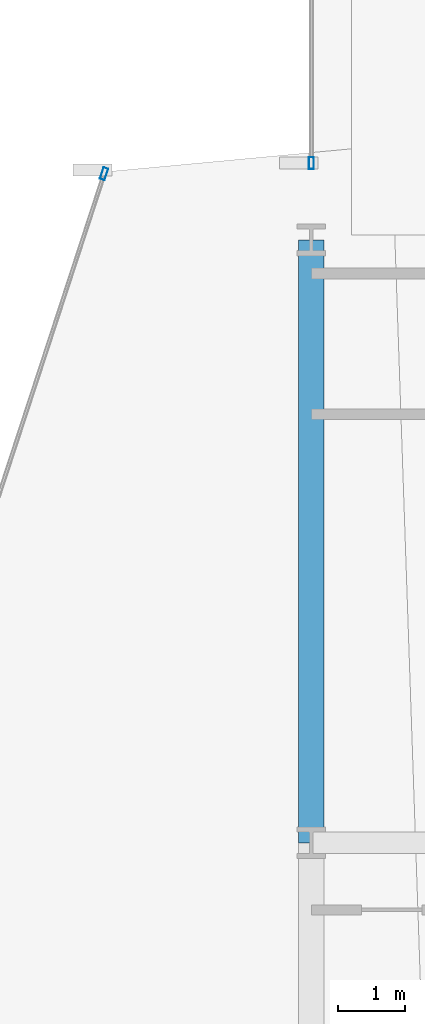
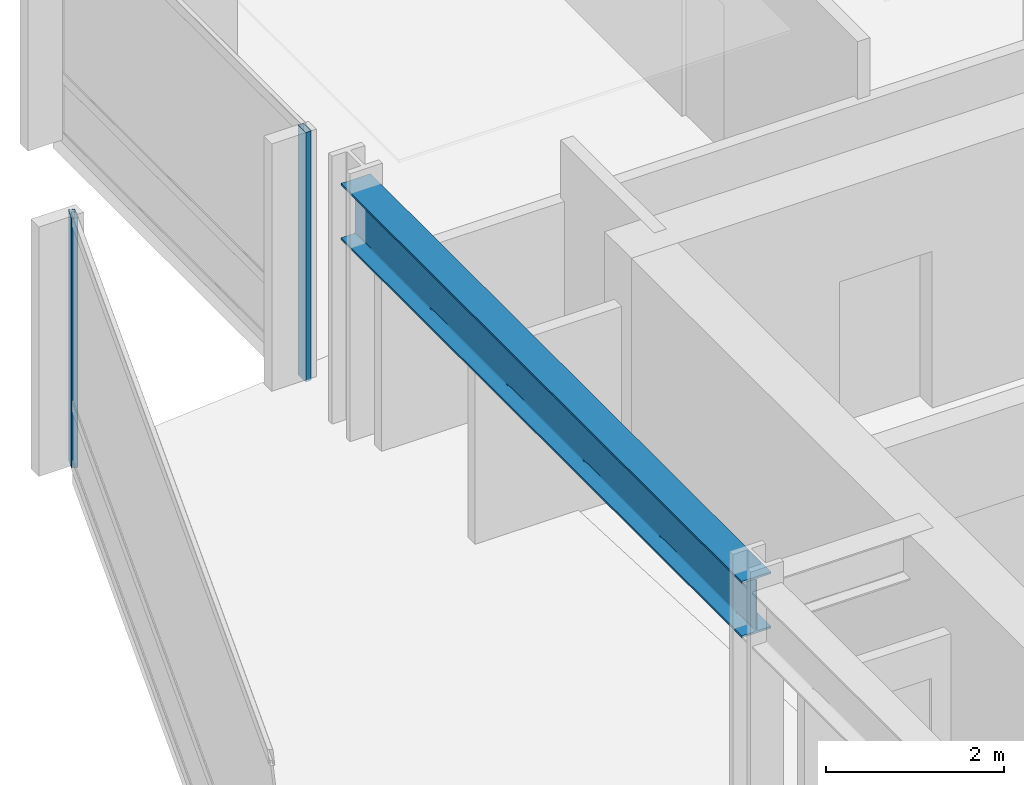
# One storey, part 19 of 34: 2 members, 1 beam, 2 elements without a shape of their own.
"""IFC4 building model written with IfcOpenShell, lengths in metres."""

import ifcopenshell
import ifcopenshell.guid

model = None  # the IFC model being written
_history = None  # IfcOwnerHistory: only IFC2X3 demands one
_inside = {}  # id of a spatial element -> (the spatial element, [elements in it])
_under = {}  # id of a project, library or spatial element -> (it, [spatial elements below it])
_declared = {}  # id of a project -> (the project, [libraries it declares])
_typed = {}  # id of a type object -> (the type object, [elements of that type])
_made_of = {}  # id of a material, layer set ... -> (it, [elements and type objects made of it])


def new_model(schema):
    """Start an empty IFC model of exactly this schema.

    Asked for "IFC4X3", IfcOpenShell would pick the latest addendum, in which some entities
    have other attributes; the version numbers below select the first issue.
    IFC2X3 requires an IfcOwnerHistory on every rooted entity: one is made here for all.
    """
    global model, _history
    if schema == "IFC4X3":
        model = ifcopenshell.file(schema_version=(4, 3, 0, 0))
    else:
        model = ifcopenshell.file(schema=schema)
    _inside.clear()
    _under.clear()
    _declared.clear()
    _typed.clear()
    _made_of.clear()
    _history = None
    if model.schema == "IFC2X3":
        org = make("IfcOrganization", Name="unknown")
        user = make(
            "IfcPersonAndOrganization",
            ThePerson=make("IfcPerson", FamilyName="unknown"),
            TheOrganization=org,
        )
        app = make(
            "IfcApplication",
            ApplicationDeveloper=org,
            Version="unknown",
            ApplicationFullName="unknown",
            ApplicationIdentifier="unknown",
        )
        _history = make(
            "IfcOwnerHistory",
            OwningUser=user,
            OwningApplication=app,
            ChangeAction="ADDED",
            CreationDate=0,
        )
    return model


def make(cls, **values):
    """One entity of the class cls with the attributes given. An attribute that is None is left unset."""
    return model.create_entity(
        cls, **{name: value for name, value in values.items() if value is not None}
    )


def rooted(cls, **values):
    """An entity with a GlobalId (a new one), such as an element, a storey or a relation."""
    return make(cls, GlobalId=ifcopenshell.guid.new(), OwnerHistory=_history, **values)


def si_unit(unit_type, name, prefix=None):
    """IfcSIUnit, for example si_unit("LENGTHUNIT", "METRE", prefix="MILLI")."""
    return make("IfcSIUnit", UnitType=unit_type, Prefix=prefix, Name=name)


def assignment(units):
    """IfcUnitAssignment: the units of a project."""
    return None if units is None else make("IfcUnitAssignment", Units=units)


def point(xyz):
    """IfcCartesianPoint."""
    return None if xyz is None else make("IfcCartesianPoint", Coordinates=xyz)


def direction(xyz):
    """IfcDirection."""
    return None if xyz is None else make("IfcDirection", DirectionRatios=xyz)


def frame(location, z_axis=None, x_axis=None):
    """IfcAxis2Placement3D, a coordinate frame: its origin and axes. An axis left out is left unset."""
    return make(
        "IfcAxis2Placement3D",
        Location=point(location),
        Axis=direction(z_axis),
        RefDirection=direction(x_axis),
    )


def frame_2d(location, x_axis=None):
    """IfcAxis2Placement2D, a coordinate frame in the plane: its origin and x axis."""
    return make(
        "IfcAxis2Placement2D", Location=point(location), RefDirection=direction(x_axis)
    )


def origin():
    """The frame at (0, 0, 0) with its axes left unset."""
    return frame((0.0, 0.0, 0.0))


def origin_2d():
    """The frame at (0, 0) in the plane with its x axis left unset."""
    return frame_2d((0.0, 0.0))


def place(relative_to, where):
    """IfcLocalPlacement: puts the frame where relative to a parent placement (None: the world)."""
    return make(
        "IfcLocalPlacement", PlacementRelTo=relative_to, RelativePlacement=where
    )


def context(
    kind, dimensions, precision=None, world=None, true_north=None, identifier=None
):
    """IfcGeometricRepresentationContext, for example the 3D "Model" context."""
    return make(
        "IfcGeometricRepresentationContext",
        ContextIdentifier=identifier,
        ContextType=kind,
        CoordinateSpaceDimension=dimensions,
        Precision=precision,
        WorldCoordinateSystem=world,
        TrueNorth=true_north,
    )


def subcontext(parent, identifier, kind, view, scale=None):
    """IfcGeometricRepresentationSubContext, for example "Body" below "Model"."""
    return make(
        "IfcGeometricRepresentationSubContext",
        ContextIdentifier=identifier,
        ContextType=kind,
        ParentContext=parent,
        TargetScale=scale,
        TargetView=view,
    )


def project(units=None, contexts=None):
    """IfcProject with its units and contexts."""
    return rooted(
        "IfcProject",
        Name="project",
        RepresentationContexts=contexts,
        UnitsInContext=assignment(units),
    )


def spatial(cls, under=None, at=None, **own):
    """A site, building, storey or space (cls), placed at a placement, below another one or the project."""
    s = rooted(cls, ObjectPlacement=at, **own)
    if under is not None:
        _under.setdefault(under.id(), (under, []))[1].append(s)
    return s


def profile(cls, at=None, kind="AREA", **sizes):
    """A parametric profile (cls). Its sizes go by their IFC names, for example OverallWidth=200.0."""
    return make(cls, ProfileType=kind, Position=at, **sizes)


def hollow_rectangle(**sizes):
    """IfcRectangleHollowProfileDef."""
    return profile("IfcRectangleHollowProfileDef", **sizes)


def i_section(**sizes):
    """IfcIShapeProfileDef."""
    return profile("IfcIShapeProfileDef", **sizes)


def extrude(swept, where, along, depth):
    """IfcExtrudedAreaSolid: the profile swept, set in the frame where, extruded along a direction by depth."""
    return make(
        "IfcExtrudedAreaSolid",
        SweptArea=swept,
        Position=where,
        ExtrudedDirection=direction(along),
        Depth=depth,
    )


def shape(context_of_items, identifier, shape_type, items):
    """IfcShapeRepresentation: the items that make up one representation, for example the "Body"."""
    return make(
        "IfcShapeRepresentation",
        ContextOfItems=context_of_items,
        RepresentationIdentifier=identifier,
        RepresentationType=shape_type,
        Items=items,
    )


def material(Name=None, Category=None):
    """IfcMaterial."""
    return make("IfcMaterial", Name=Name, Category=Category)


def layer(
    of_material, thickness, ventilated=None, Name=None, Category=None, Priority=None
):
    """IfcMaterialLayer: one layer of a wall or slab, of a material (None: an air gap)."""
    return make(
        "IfcMaterialLayer",
        Material=of_material,
        LayerThickness=thickness,
        IsVentilated=ventilated,
        Name=Name,
        Category=Category,
        Priority=Priority,
    )


def layer_set(layers, Name=None):
    """IfcMaterialLayerSet."""
    return make("IfcMaterialLayerSet", MaterialLayers=layers, LayerSetName=Name)


def material_profile(
    of_material, cross_section, Name=None, Category=None, Priority=None
):
    """IfcMaterialProfile: a cross section and its material."""
    return make(
        "IfcMaterialProfile",
        Name=Name,
        Material=of_material,
        Profile=cross_section,
        Priority=Priority,
        Category=Category,
    )


def profile_set(profiles, Name=None, composite=None):
    """IfcMaterialProfileSet."""
    return make(
        "IfcMaterialProfileSet",
        Name=Name,
        MaterialProfiles=profiles,
        CompositeProfile=composite,
    )


def made_of(thing, what):
    """Note that an element or type object is made of a material, layer set ...; save() writes the relation."""
    if what is not None:
        _made_of.setdefault(what.id(), (what, []))[1].append(thing)
    return thing


def type_object(cls, material=None, **own):
    """A type object (cls), such as IfcWallType, which elements share."""
    return made_of(rooted(cls, **own), material)


def element(
    cls,
    number,
    at=None,
    inside=None,
    cuts=None,
    type_object=None,
    material=None,
    context=None,
    identifier="Body",
    shape_type=None,
    held_by="IfcProductDefinitionShape",
    body=None,
    shapes=None,
    **own,
):
    """One element of the class cls, such as IfcWall. Its Tag is "e" and its number.

    at: its placement. inside: the storey or other place that contains it. cuts: it is an
    opening in that element (IfcRelVoidsElement). A single representation is given by context,
    identifier, shape_type and body (its items); several are given by shapes. held_by: the class
    of the entity that holds the representations. save() writes the other relations.
    """
    e = rooted(cls, Tag="e%d" % number, ObjectPlacement=at, **own)
    if body is not None:
        shapes = [shape(context, identifier, shape_type, body)]
    if shapes is not None:
        e.Representation = make(held_by, Representations=shapes)
    if inside is not None:
        _inside.setdefault(inside.id(), (inside, []))[1].append(e)
    if cuts is not None:
        rooted(
            "IfcRelVoidsElement", RelatingBuildingElement=cuts, RelatedOpeningElement=e
        )
    if type_object is not None:
        _typed.setdefault(type_object.id(), (type_object, []))[1].append(e)
    return made_of(e, material)


def aggregate(whole, parts):
    """IfcRelAggregates: a whole, such as a stair, and the parts it consists of."""
    return rooted("IfcRelAggregates", RelatingObject=whole, RelatedObjects=parts)


def save(model, path):
    """Write the relations noted so far, then the file.

    IfcRelAggregates (storeys below a building ...), IfcRelContainedInSpatialStructure (elements
    in a storey), IfcRelDefinesByType, IfcRelAssociatesMaterial and IfcRelDeclares: one each for
    every whole, place, type object, material and project.
    """
    for whole, parts in _under.values():
        aggregate(whole, parts)
    for where, things in _inside.values():
        rooted(
            "IfcRelContainedInSpatialStructure",
            RelatedElements=things,
            RelatingStructure=where,
        )
    for kind, things in _typed.values():
        rooted("IfcRelDefinesByType", RelatedObjects=things, RelatingType=kind)
    for what, things in _made_of.values():
        rooted("IfcRelAssociatesMaterial", RelatedObjects=things, RelatingMaterial=what)
    for by, libraries in _declared.values():
        rooted("IfcRelDeclares", RelatingContext=by, RelatedDefinitions=libraries)
    model.write(path)


model = new_model("IFC4")

# Units and contexts
model_context = context("Model", 3, precision=1e-05, world=origin(), true_north=direction((0.0, 1.0)))
body_context = subcontext(model_context, "Body", "Model", "MODEL_VIEW")
ifc_project = project(units=[si_unit("LENGTHUNIT", "METRE"), si_unit("AREAUNIT", "SQUARE_METRE"), si_unit("VOLUMEUNIT", "CUBIC_METRE"), si_unit("PLANEANGLEUNIT", "RADIAN"), si_unit("MASSUNIT", "GRAM", prefix="KILO")], contexts=[model_context])

# Site, building, storey
site_placement = place(None, origin())
site = spatial("IfcSite", under=ifc_project, at=site_placement, CompositionType="ELEMENT")
building_placement = place(site_placement, origin())
building = spatial("IfcBuilding", under=site, at=building_placement, Name="Solvaryn Broadcast Tower", CompositionType="ELEMENT")
storey_placement = place(building_placement, frame((0.0, 0.0, 92.800048828125)))
storey = spatial("IfcBuildingStorey", under=building, at=storey_placement, Name="L22", CompositionType="ELEMENT", Elevation=92.800048828125)

# Beam
ifc_material_1 = material(Name="Steel ASTM A992 Grade 50", Category="steel")
ifc_material_profile_1 = material_profile(ifc_material_1, i_section(OverallWidth=0.381103515625, OverallDepth=0.77294921875, WebThickness=0.0166015625, FlangeThickness=0.027099609375, FilletRadius=0.01806640625, at=origin_2d()))
ifc_profile_set_1 = profile_set([ifc_material_profile_1], Name="Steel ASTM A992 Grade 50")
beam_type = type_object("IfcBeamType", Name="BM-SP1-W30X173", PredefinedType="USERDEFINED", material=ifc_profile_set_1)
beam_placement = place(storey_placement, frame((9.0, 36.0, 3.033447265625), z_axis=(0.0, 1.0, 0.0), x_axis=(-1.0, 0.0, 0.0)))
element("IfcBeam", 1, at=beam_placement, inside=storey, type_object=beam_type, Name="L22 Spandrel Beam Y (36-45 @ X=9)", ObjectType="SPANDREL", PredefinedType="USERDEFINED", context=body_context, shape_type="SweptSolid", body=[
    extrude(i_section(OverallWidth=0.381103515625, OverallDepth=0.77294921875, WebThickness=0.0166015625, FlangeThickness=0.027099609375, FilletRadius=0.01806640625, at=origin_2d()), origin(), (0.0, 0.0, 1.0), 9.0),
])

# Curtain wall, member
ifc_material_2 = material(Name="Aluminium and Terracotta Unitised Curtain Wall", Category="masonry")
ifc_layer = layer(ifc_material_2, 0.199951171875)
ifc_layer_set = layer_set([ifc_layer], Name="CW-SYS2-LOWMID")
curtain_wall_type = type_object("IfcCurtainWallType", Name="CW-SYS2-LOWMID", PredefinedType="NOTDEFINED", material=ifc_layer_set)
curtain_wall_1_placement = place(storey_placement, origin())
curtain_wall_1 = element("IfcCurtainWall", 2, at=curtain_wall_1_placement, inside=storey, type_object=curtain_wall_type, Name="L22 Curtain Wall DR1", PredefinedType="NOTDEFINED")
ifc_material_3 = material(Name="Anodised Aluminium 6063-T6", Category="aluminium")
ifc_material_profile_2 = material_profile(ifc_material_3, hollow_rectangle(XDim=0.074951171875, YDim=0.179931640625, WallThickness=0.00390625, InnerFilletRadius=0.00390625, OuterFilletRadius=0.008056640625, at=origin_2d()))
ifc_profile_set_2 = profile_set([ifc_material_profile_2], Name="Anodised Aluminium 6063-T6")
member_type = type_object("IfcMemberType", Name="CW-MUL-180", PredefinedType="MULLION", material=ifc_profile_set_2)
member_1_placement = place(storey_placement, frame((5.90673828125, 45.987548828125, 0.0), z_axis=(0.0, 0.0, 1.0), x_axis=(0.950215318429, -0.311594044587, 0.0)))
member_1 = element("IfcMember", 3, at=member_1_placement, type_object=member_type, Name="CWS2 mullion 1", PredefinedType="MULLION", context=body_context, shape_type="SweptSolid", body=[
    extrude(hollow_rectangle(XDim=0.074951171875, YDim=0.179931640625, WallThickness=0.00390625, InnerFilletRadius=0.00390625, OuterFilletRadius=0.008056640625, at=origin_2d()), origin(), (0.0, 0.0, 1.0), 3.419921875),
])
aggregate(curtain_wall_1, [member_1])

curtain_wall_2_placement = place(storey_placement, origin())
curtain_wall_2 = element("IfcCurtainWall", 4, at=curtain_wall_2_placement, inside=storey, type_object=curtain_wall_type, Name="L22 Curtain Wall W2", PredefinedType="NOTDEFINED")
member_2_placement = place(storey_placement, frame((9.0, 46.14599609375, 0.0), z_axis=(0.0, 0.0, 1.0), x_axis=(-1.0, 0.0, 0.0)))
member_2 = element("IfcMember", 5, at=member_2_placement, type_object=member_type, Name="CWS2 mullion 1", PredefinedType="MULLION", context=body_context, shape_type="SweptSolid", body=[
    extrude(hollow_rectangle(XDim=0.074951171875, YDim=0.179931640625, WallThickness=0.00390625, InnerFilletRadius=0.00390625, OuterFilletRadius=0.008056640625, at=origin_2d()), origin(), (0.0, 0.0, 1.0), 3.419921875),
])
aggregate(curtain_wall_2, [member_2])

save(model, "model.ifc")
